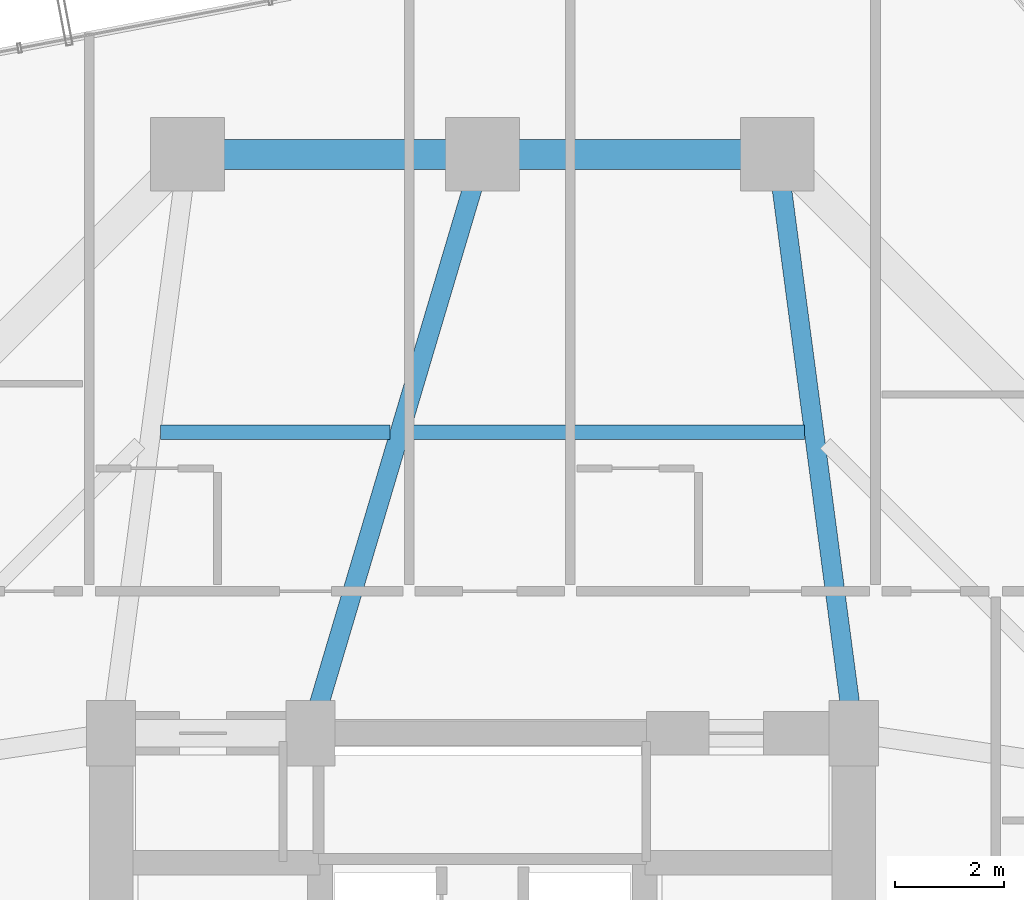
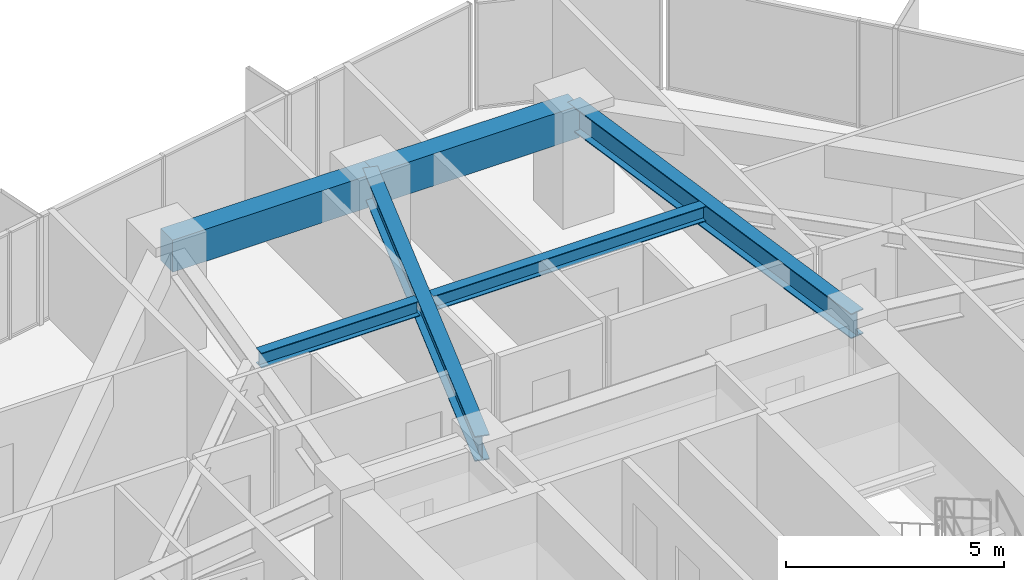
# One storey, part 24 of 38: 6 beams.
"""IFC4 building model written with IfcOpenShell, lengths in metres."""

import ifcopenshell
import ifcopenshell.guid

model = None  # the IFC model being written
_history = None  # IfcOwnerHistory: only IFC2X3 demands one
_inside = {}  # id of a spatial element -> (the spatial element, [elements in it])
_under = {}  # id of a project, library or spatial element -> (it, [spatial elements below it])
_declared = {}  # id of a project -> (the project, [libraries it declares])
_typed = {}  # id of a type object -> (the type object, [elements of that type])
_made_of = {}  # id of a material, layer set ... -> (it, [elements and type objects made of it])


def new_model(schema):
    """Start an empty IFC model of exactly this schema.

    Asked for "IFC4X3", IfcOpenShell would pick the latest addendum, in which some entities
    have other attributes; the version numbers below select the first issue.
    IFC2X3 requires an IfcOwnerHistory on every rooted entity: one is made here for all.
    """
    global model, _history
    if schema == "IFC4X3":
        model = ifcopenshell.file(schema_version=(4, 3, 0, 0))
    else:
        model = ifcopenshell.file(schema=schema)
    _inside.clear()
    _under.clear()
    _declared.clear()
    _typed.clear()
    _made_of.clear()
    _history = None
    if model.schema == "IFC2X3":
        org = make("IfcOrganization", Name="unknown")
        user = make(
            "IfcPersonAndOrganization",
            ThePerson=make("IfcPerson", FamilyName="unknown"),
            TheOrganization=org,
        )
        app = make(
            "IfcApplication",
            ApplicationDeveloper=org,
            Version="unknown",
            ApplicationFullName="unknown",
            ApplicationIdentifier="unknown",
        )
        _history = make(
            "IfcOwnerHistory",
            OwningUser=user,
            OwningApplication=app,
            ChangeAction="ADDED",
            CreationDate=0,
        )
    return model


def make(cls, **values):
    """One entity of the class cls with the attributes given. An attribute that is None is left unset."""
    return model.create_entity(
        cls, **{name: value for name, value in values.items() if value is not None}
    )


def rooted(cls, **values):
    """An entity with a GlobalId (a new one), such as an element, a storey or a relation."""
    return make(cls, GlobalId=ifcopenshell.guid.new(), OwnerHistory=_history, **values)


def si_unit(unit_type, name, prefix=None):
    """IfcSIUnit, for example si_unit("LENGTHUNIT", "METRE", prefix="MILLI")."""
    return make("IfcSIUnit", UnitType=unit_type, Prefix=prefix, Name=name)


def assignment(units):
    """IfcUnitAssignment: the units of a project."""
    return None if units is None else make("IfcUnitAssignment", Units=units)


def point(xyz):
    """IfcCartesianPoint."""
    return None if xyz is None else make("IfcCartesianPoint", Coordinates=xyz)


def direction(xyz):
    """IfcDirection."""
    return None if xyz is None else make("IfcDirection", DirectionRatios=xyz)


def frame(location, z_axis=None, x_axis=None):
    """IfcAxis2Placement3D, a coordinate frame: its origin and axes. An axis left out is left unset."""
    return make(
        "IfcAxis2Placement3D",
        Location=point(location),
        Axis=direction(z_axis),
        RefDirection=direction(x_axis),
    )


def frame_2d(location, x_axis=None):
    """IfcAxis2Placement2D, a coordinate frame in the plane: its origin and x axis."""
    return make(
        "IfcAxis2Placement2D", Location=point(location), RefDirection=direction(x_axis)
    )


def origin():
    """The frame at (0, 0, 0) with its axes left unset."""
    return frame((0.0, 0.0, 0.0))


def origin_2d():
    """The frame at (0, 0) in the plane with its x axis left unset."""
    return frame_2d((0.0, 0.0))


def place(relative_to, where):
    """IfcLocalPlacement: puts the frame where relative to a parent placement (None: the world)."""
    return make(
        "IfcLocalPlacement", PlacementRelTo=relative_to, RelativePlacement=where
    )


def context(
    kind, dimensions, precision=None, world=None, true_north=None, identifier=None
):
    """IfcGeometricRepresentationContext, for example the 3D "Model" context."""
    return make(
        "IfcGeometricRepresentationContext",
        ContextIdentifier=identifier,
        ContextType=kind,
        CoordinateSpaceDimension=dimensions,
        Precision=precision,
        WorldCoordinateSystem=world,
        TrueNorth=true_north,
    )


def subcontext(parent, identifier, kind, view, scale=None):
    """IfcGeometricRepresentationSubContext, for example "Body" below "Model"."""
    return make(
        "IfcGeometricRepresentationSubContext",
        ContextIdentifier=identifier,
        ContextType=kind,
        ParentContext=parent,
        TargetScale=scale,
        TargetView=view,
    )


def project(units=None, contexts=None):
    """IfcProject with its units and contexts."""
    return rooted(
        "IfcProject",
        Name="project",
        RepresentationContexts=contexts,
        UnitsInContext=assignment(units),
    )


def spatial(cls, under=None, at=None, **own):
    """A site, building, storey or space (cls), placed at a placement, below another one or the project."""
    s = rooted(cls, ObjectPlacement=at, **own)
    if under is not None:
        _under.setdefault(under.id(), (under, []))[1].append(s)
    return s


def profile(cls, at=None, kind="AREA", **sizes):
    """A parametric profile (cls). Its sizes go by their IFC names, for example OverallWidth=200.0."""
    return make(cls, ProfileType=kind, Position=at, **sizes)


def rectangle(**sizes):
    """IfcRectangleProfileDef."""
    return profile("IfcRectangleProfileDef", **sizes)


def i_section(**sizes):
    """IfcIShapeProfileDef."""
    return profile("IfcIShapeProfileDef", **sizes)


def extrude(swept, where, along, depth):
    """IfcExtrudedAreaSolid: the profile swept, set in the frame where, extruded along a direction by depth."""
    return make(
        "IfcExtrudedAreaSolid",
        SweptArea=swept,
        Position=where,
        ExtrudedDirection=direction(along),
        Depth=depth,
    )


def shape(context_of_items, identifier, shape_type, items):
    """IfcShapeRepresentation: the items that make up one representation, for example the "Body"."""
    return make(
        "IfcShapeRepresentation",
        ContextOfItems=context_of_items,
        RepresentationIdentifier=identifier,
        RepresentationType=shape_type,
        Items=items,
    )


def material(Name=None, Category=None):
    """IfcMaterial."""
    return make("IfcMaterial", Name=Name, Category=Category)


def material_profile(
    of_material, cross_section, Name=None, Category=None, Priority=None
):
    """IfcMaterialProfile: a cross section and its material."""
    return make(
        "IfcMaterialProfile",
        Name=Name,
        Material=of_material,
        Profile=cross_section,
        Priority=Priority,
        Category=Category,
    )


def profile_set(profiles, Name=None, composite=None):
    """IfcMaterialProfileSet."""
    return make(
        "IfcMaterialProfileSet",
        Name=Name,
        MaterialProfiles=profiles,
        CompositeProfile=composite,
    )


def made_of(thing, what):
    """Note that an element or type object is made of a material, layer set ...; save() writes the relation."""
    if what is not None:
        _made_of.setdefault(what.id(), (what, []))[1].append(thing)
    return thing


def type_object(cls, material=None, **own):
    """A type object (cls), such as IfcWallType, which elements share."""
    return made_of(rooted(cls, **own), material)


def element(
    cls,
    number,
    at=None,
    inside=None,
    cuts=None,
    type_object=None,
    material=None,
    context=None,
    identifier="Body",
    shape_type=None,
    held_by="IfcProductDefinitionShape",
    body=None,
    shapes=None,
    **own,
):
    """One element of the class cls, such as IfcWall. Its Tag is "e" and its number.

    at: its placement. inside: the storey or other place that contains it. cuts: it is an
    opening in that element (IfcRelVoidsElement). A single representation is given by context,
    identifier, shape_type and body (its items); several are given by shapes. held_by: the class
    of the entity that holds the representations. save() writes the other relations.
    """
    e = rooted(cls, Tag="e%d" % number, ObjectPlacement=at, **own)
    if body is not None:
        shapes = [shape(context, identifier, shape_type, body)]
    if shapes is not None:
        e.Representation = make(held_by, Representations=shapes)
    if inside is not None:
        _inside.setdefault(inside.id(), (inside, []))[1].append(e)
    if cuts is not None:
        rooted(
            "IfcRelVoidsElement", RelatingBuildingElement=cuts, RelatedOpeningElement=e
        )
    if type_object is not None:
        _typed.setdefault(type_object.id(), (type_object, []))[1].append(e)
    return made_of(e, material)


def aggregate(whole, parts):
    """IfcRelAggregates: a whole, such as a stair, and the parts it consists of."""
    return rooted("IfcRelAggregates", RelatingObject=whole, RelatedObjects=parts)


def save(model, path):
    """Write the relations noted so far, then the file.

    IfcRelAggregates (storeys below a building ...), IfcRelContainedInSpatialStructure (elements
    in a storey), IfcRelDefinesByType, IfcRelAssociatesMaterial and IfcRelDeclares: one each for
    every whole, place, type object, material and project.
    """
    for whole, parts in _under.values():
        aggregate(whole, parts)
    for where, things in _inside.values():
        rooted(
            "IfcRelContainedInSpatialStructure",
            RelatedElements=things,
            RelatingStructure=where,
        )
    for kind, things in _typed.values():
        rooted("IfcRelDefinesByType", RelatedObjects=things, RelatingType=kind)
    for what, things in _made_of.values():
        rooted("IfcRelAssociatesMaterial", RelatedObjects=things, RelatingMaterial=what)
    for by, libraries in _declared.values():
        rooted("IfcRelDeclares", RelatingContext=by, RelatedDefinitions=libraries)
    model.write(path)


model = new_model("IFC4")

# Units and contexts
model_context = context("Model", 3, precision=1e-05, world=origin(), true_north=direction((0.0, 1.0)))
body_context = subcontext(model_context, "Body", "Model", "MODEL_VIEW")
ifc_project = project(units=[si_unit("LENGTHUNIT", "METRE"), si_unit("AREAUNIT", "SQUARE_METRE"), si_unit("VOLUMEUNIT", "CUBIC_METRE"), si_unit("PLANEANGLEUNIT", "RADIAN"), si_unit("MASSUNIT", "GRAM", prefix="KILO")], contexts=[model_context])

# Site, building, storey
site_placement = place(None, origin())
site = spatial("IfcSite", under=ifc_project, at=site_placement, CompositionType="ELEMENT")
building_placement = place(site_placement, origin())
building = spatial("IfcBuilding", under=site, at=building_placement, Name="Veraguas Prism Commons", CompositionType="ELEMENT")
storey_placement = place(building_placement, frame((0.0, 0.0, 60.85009765625)))
storey = spatial("IfcBuildingStorey", under=building, at=storey_placement, Name="L16", CompositionType="ELEMENT", Elevation=60.85009765625)

# Beams
ifc_material_1 = material(Name="Steel ASTM A992 Grade 50", Category="steel")
ifc_material_profile_1 = material_profile(ifc_material_1, i_section(OverallWidth=0.260986328125, OverallDepth=0.419921875, WebThickness=0.01171875, FlangeThickness=0.019287109375, at=origin_2d()), Name="W410X114")
ifc_profile_set_1 = profile_set([ifc_material_profile_1], Name="Steel ASTM A992 Grade 50")
beam_type_1 = type_object("IfcBeamType", Name="Lower Floor Joist W410x114", PredefinedType="JOIST", material=ifc_profile_set_1)
beam_1_placement = place(storey_placement, frame((29.89453125, 36.511962890625, 2.789794921875), z_axis=(-1.0, 0.0, 0.0), x_axis=(0.0, -1.0, 0.0)))
element("IfcBeam", 1, at=beam_1_placement, inside=storey, type_object=beam_type_1, Name="Composite Floor Joist L16-JS04", PredefinedType="JOIST", context=body_context, shape_type="SweptSolid", body=[
    extrude(i_section(OverallWidth=0.260986328125, OverallDepth=0.419921875, WebThickness=0.01171875, FlangeThickness=0.019287109375, at=origin_2d()), origin(), (0.0, 0.0, 1.0), 7.222900390625),
])
beam_2_placement = place(storey_placement, frame((22.304443359375, 36.511962890625, 2.789794921875), z_axis=(-1.0, 0.0, 0.0), x_axis=(0.0, -1.0, 0.0)))
element("IfcBeam", 2, at=beam_2_placement, inside=storey, type_object=beam_type_1, Name="Composite Floor Joist L16-JS05", PredefinedType="JOIST", context=body_context, shape_type="SweptSolid", body=[
    extrude(i_section(OverallWidth=0.260986328125, OverallDepth=0.419921875, WebThickness=0.01171875, FlangeThickness=0.019287109375, at=origin_2d()), origin(), (0.0, 0.0, 1.0), 4.198974609375),
])
ifc_material_2 = material(Name="Concrete C50/60", Category="concrete")
ifc_material_profile_2 = material_profile(ifc_material_2, rectangle(XDim=0.550048828125, YDim=0.89990234375, at=origin_2d()), Name="RC550X900")
ifc_profile_set_2 = profile_set([ifc_material_profile_2], Name="Concrete C50/60")
beam_type_2 = type_object("IfcBeamType", Name="Perimeter Spandrel Lower RC 550x900", PredefinedType="SPANDREL", material=ifc_profile_set_2)
for number, where, z_axis, x_axis, name in (
    (3, (29.39990234375, 41.60009765625, 2.5498046875), (-1.0, 0.0, 0.0), (0.0, -1.0, 0.0), "Perimeter Spandrel Beam L16-SP04"),
    (4, (24.0, 41.60009765625, 2.5498046875), (-1.0, 0.0, 0.0), (0.0, -1.0, 0.0), "Perimeter Spandrel Beam L16-SP05"),
):
    element("IfcBeam", number, at=place(storey_placement, frame(where, z_axis=z_axis, x_axis=x_axis)), inside=storey, type_object=beam_type_2, Name=name, PredefinedType="SPANDREL", context=body_context, shape_type="SweptSolid", body=[
        extrude(rectangle(XDim=0.550048828125, YDim=0.89990234375, at=origin_2d()), origin(), (0.0, 0.0, 1.0), 5.39990234375),
    ])
ifc_material_profile_3 = material_profile(ifc_material_1, i_section(OverallWidth=0.35595703125, OverallDepth=0.700927734375, WebThickness=0.016845703125, FlangeThickness=0.02734375, at=origin_2d()), Name="W690X240")
ifc_profile_set_3 = profile_set([ifc_material_profile_3], Name="Steel ASTM A992 Grade 50")
beam_type_3 = type_object("IfcBeamType", Name="Zone 1 Radial Girder W690x240", PredefinedType="BEAM", material=ifc_profile_set_3)
beam_3_placement = place(storey_placement, frame((29.39990234375, 41.60009765625, 2.6494140625), z_axis=(0.130950648891, -0.991388888154, 0.0), x_axis=(0.991388888154, 0.130950648891, 0.0)))
element("IfcBeam", 5, at=beam_3_placement, inside=storey, type_object=beam_type_3, Name="Radial Floor Girder L16-RD04", PredefinedType="BEAM", context=body_context, shape_type="SweptSolid", body=[
    extrude(i_section(OverallWidth=0.35595703125, OverallDepth=0.700927734375, WebThickness=0.016845703125, FlangeThickness=0.02734375, at=origin_2d()), origin(), (0.0, 0.0, 1.0), 10.692138671875),
])
beam_4_placement = place(storey_placement, frame((24.0, 41.60009765625, 2.6494140625), z_axis=(-0.28484745997, -0.958572858237, 0.0), x_axis=(0.958572858237, -0.28484745997, 0.0)))
element("IfcBeam", 6, at=beam_4_placement, inside=storey, type_object=beam_type_3, Name="Radial Floor Girder L16-RD05", PredefinedType="BEAM", context=body_context, shape_type="SweptSolid", body=[
    extrude(i_section(OverallWidth=0.35595703125, OverallDepth=0.700927734375, WebThickness=0.016845703125, FlangeThickness=0.02734375, at=origin_2d()), origin(), (0.0, 0.0, 1.0), 11.05810546875),
])

save(model, "model.ifc")
